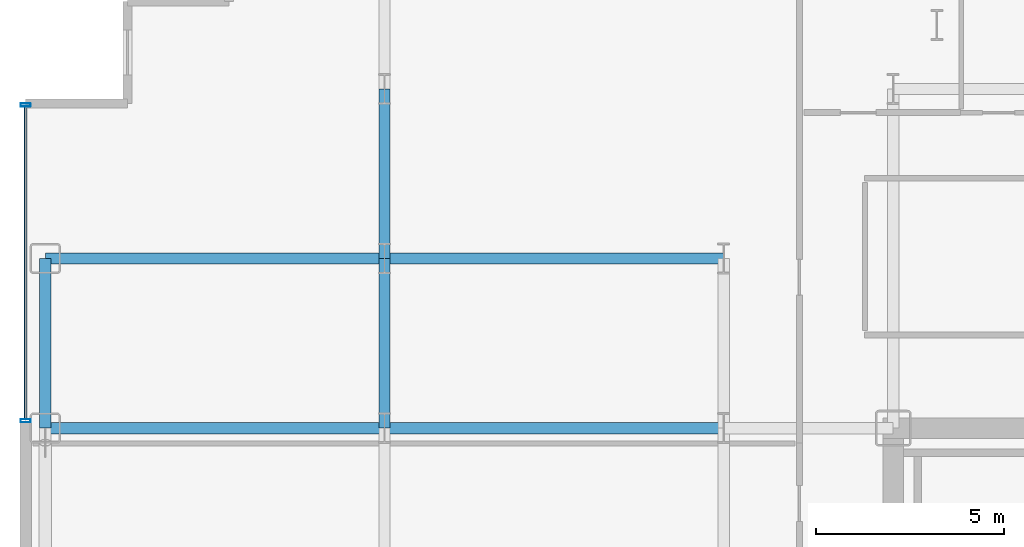
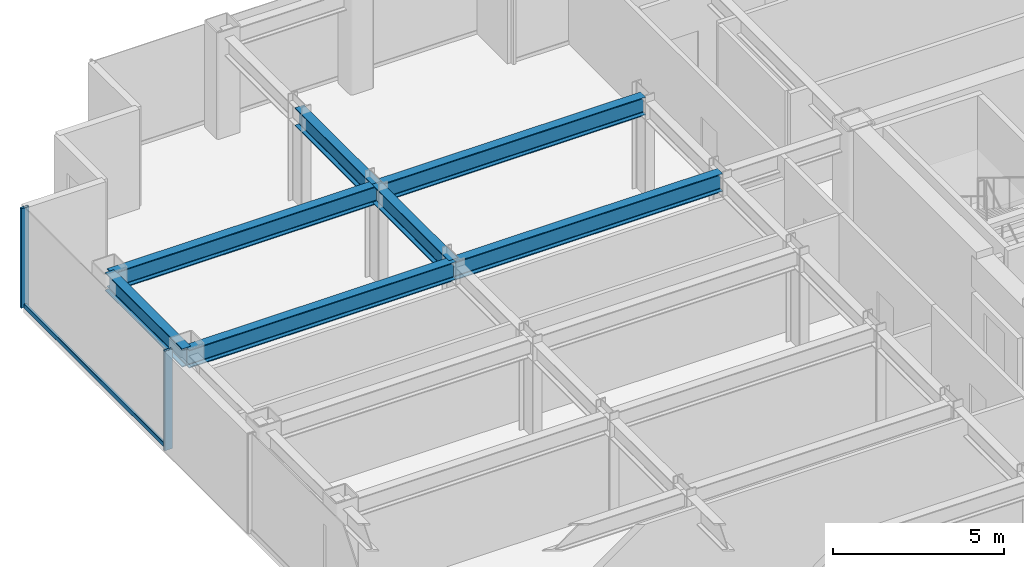
# One storey, part 12 of 27: 7 beams, 3 members, 1 element without a shape of its own.
"""IFC4 building model written with IfcOpenShell, lengths in metres."""

from ifc_helpers import new_model, si_unit, direction, frame, origin, origin_2d, place, context, subcontext, project, spatial, hollow_rectangle, i_section, extrude, source, transform, mapped, material, layer, layer_set, material_profile, profile_set, type_object, element, aggregate, save


model = new_model("IFC4")

# Units and contexts
model_context = context("Model", 3, precision=1e-05, world=origin(), true_north=direction((0.0, 1.0)))
body_context = subcontext(model_context, "Body", "Model", "MODEL_VIEW")
ifc_project = project(units=[si_unit("LENGTHUNIT", "METRE"), si_unit("AREAUNIT", "SQUARE_METRE"), si_unit("VOLUMEUNIT", "CUBIC_METRE"), si_unit("PLANEANGLEUNIT", "RADIAN"), si_unit("MASSUNIT", "GRAM", prefix="KILO")], contexts=[model_context])

# Site, building, storey
site_placement = place(None, origin())
site = spatial("IfcSite", under=ifc_project, at=site_placement, CompositionType="ELEMENT")
building_placement = place(site_placement, origin())
building = spatial("IfcBuilding", under=site, at=building_placement, Name="Nefas-Gora Pilgrimage Tower", CompositionType="ELEMENT")
storey_placement = place(building_placement, frame((0.0, 0.0, 183.0)))
storey = spatial("IfcBuildingStorey", under=building, at=storey_placement, Name="L45", CompositionType="ELEMENT", Elevation=183.0)

# Beams
ifc_material_1 = material(Name="Steel S355", Category="steel")
ifc_material_profile_1 = material_profile(ifc_material_1, i_section(OverallWidth=0.300048828125, OverallDepth=0.64990234375, WebThickness=0.01611328125, FlangeThickness=0.031005859375, FilletRadius=0.027099609375, at=origin_2d()), Name="HEB 650")
ifc_profile_set_1 = profile_set([ifc_material_profile_1], Name="Steel S355")
beam_type_1 = type_object("IfcBeamType", Name="BM-SPN-HEB500", PredefinedType="SPANDREL", material=ifc_profile_set_1)
shared_shape_1 = source(origin(), body_context, "Body", "SweptSolid", [
    extrude(i_section(OverallWidth=0.300048828125, OverallDepth=0.64990234375, WebThickness=0.01611328125, FlangeThickness=0.031005859375, FilletRadius=0.027099609375, at=origin_2d()), origin(), (0.0, 0.0, 1.0), 4.5),
])
beam_placement = place(storey_placement, frame((-33.75, 9.0, 3.22509765625), z_axis=(0.0, 1.0, 0.0), x_axis=(-1.0, 0.0, 0.0)))
element("IfcBeam", 1, at=beam_placement, inside=storey, type_object=beam_type_1, Name="L45 SP-02 beam", PredefinedType="SPANDREL", context=body_context, shape_type="MappedRepresentation", body=[
    mapped(shared_shape_1, transform((0.0, 0.0, 0.0), x_axis=(1.0, 0.0, 0.0), y_axis=(0.0, 1.0, 0.0), z_axis=(0.0, 0.0, 1.0), scale=1.0)),
])
ifc_material_profile_2 = material_profile(ifc_material_1, i_section(OverallWidth=0.300048828125, OverallDepth=0.64990234375, WebThickness=0.01611328125, FlangeThickness=0.031005859375, FilletRadius=0.027099609375, at=origin_2d()), Name="HEB 650")
ifc_profile_set_2 = profile_set([ifc_material_profile_2], Name="Steel S355")
beam_type_2 = type_object("IfcBeamType", Name="BM-GIR-HEB650", PredefinedType="BEAM", material=ifc_profile_set_2)
shared_shape_2 = source(origin(), body_context, "Body", "SweptSolid", [
    extrude(i_section(OverallWidth=0.300048828125, OverallDepth=0.64990234375, WebThickness=0.01611328125, FlangeThickness=0.031005859375, FilletRadius=0.027099609375, at=origin_2d()), origin(), (0.0, 0.0, 1.0), 9.0),
])
for number, where, z_axis, x_axis, name in (
    (2, (-33.75, 9.0, 3.22509765625), (1.0, 0.0, 0.0), (0.0, 1.0, 0.0), "L45 G-03 beam"),
    (3, (-33.75, 13.5, 3.22509765625), (1.0, 0.0, 0.0), (0.0, 1.0, 0.0), "L45 G-03 beam"),
    (4, (-24.75, 9.0, 3.22509765625), (1.0, 0.0, 0.0), (0.0, 1.0, 0.0), "L45 G-03 beam"),
    (5, (-24.75, 13.5, 3.22509765625), (1.0, 0.0, 0.0), (0.0, 1.0, 0.0), "L45 G-03 beam"),
):
    element("IfcBeam", number, at=place(storey_placement, frame(where, z_axis=z_axis, x_axis=x_axis)), inside=storey, type_object=beam_type_2, Name=name, PredefinedType="BEAM", context=body_context, shape_type="MappedRepresentation", body=[
        mapped(shared_shape_2, transform((0.0, 0.0, 0.0), x_axis=(1.0, 0.0, 0.0), y_axis=(0.0, 1.0, 0.0), z_axis=(0.0, 0.0, 1.0), scale=1.0)),
    ])
shared_shape_3 = source(origin(), body_context, "Body", "SweptSolid", [
    extrude(i_section(OverallWidth=0.300048828125, OverallDepth=0.64990234375, WebThickness=0.01611328125, FlangeThickness=0.031005859375, FilletRadius=0.027099609375, at=origin_2d()), origin(), (0.0, 0.0, 1.0), 4.5),
])
for number, where, z_axis, x_axis, name in (
    (6, (-24.75, 9.0, 3.22509765625), (0.0, 1.0, 0.0), (-1.0, 0.0, 0.0), "L45 G-03 beam"),
    (7, (-24.75, 13.5, 3.22509765625), (0.0, 1.0, 0.0), (-1.0, 0.0, 0.0), "L45 G-03 beam"),
):
    element("IfcBeam", number, at=place(storey_placement, frame(where, z_axis=z_axis, x_axis=x_axis)), inside=storey, type_object=beam_type_2, Name=name, PredefinedType="BEAM", context=body_context, shape_type="MappedRepresentation", body=[
        mapped(shared_shape_3, transform((0.0, 0.0, 0.0), x_axis=(1.0, 0.0, 0.0), y_axis=(0.0, 1.0, 0.0), z_axis=(0.0, 0.0, 1.0), scale=1.0)),
    ])

# Curtain wall, members
ifc_material_2 = material(Name="Dark ceramic-fritted solar-control aluminium-glass curtain wall", Category="aluminium")
ifc_layer = layer(ifc_material_2, 0.219970703125)
ifc_layer_set = layer_set([ifc_layer], Name="Dark ceramic-fritted solar-control aluminium-glass curtain wall")
curtain_wall_type = type_object("IfcCurtainWallType", Name="CW-SYS-3", PredefinedType="NOTDEFINED", material=ifc_layer_set)
curtain_wall_placement = place(storey_placement, origin())
curtain_wall = element("IfcCurtainWall", 8, at=curtain_wall_placement, inside=storey, type_object=curtain_wall_type, Name="L45 Unitised Curtain Wall CW3", PredefinedType="NOTDEFINED")
ifc_material_3 = material(Name="Anodised architectural aluminium", Category="aluminium")
ifc_material_profile_3 = material_profile(ifc_material_3, hollow_rectangle(XDim=0.090087890625, YDim=0.260009765625, WallThickness=0.006103515625, InnerFilletRadius=0.006103515625, OuterFilletRadius=0.011962890625, at=origin_2d()), Name="ALU MULLION 90x260")
ifc_profile_set_3 = profile_set([ifc_material_profile_3], Name="Anodised architectural aluminium")
member_type_1 = type_object("IfcMemberType", Name="CWM-MUL-3", PredefinedType="MULLION", material=ifc_profile_set_3)
shared_shape_4 = source(origin(), body_context, "Body", "SweptSolid", [
    extrude(hollow_rectangle(XDim=0.090087890625, YDim=0.260009765625, WallThickness=0.006103515625, InnerFilletRadius=0.006103515625, OuterFilletRadius=0.011962890625, at=origin_2d()), origin(), (0.0, 0.0, 1.0), 3.550048828125),
])
member_1_placement = place(storey_placement, frame((-34.27001953125, 17.574951171875, 0.0), z_axis=(0.0, 0.0, 1.0), x_axis=(0.0, -1.0, 0.0)))
member_1 = element("IfcMember", 9, at=member_1_placement, type_object=member_type_1, Name="CW3 Mullion 1", PredefinedType="MULLION", context=body_context, shape_type="MappedRepresentation", body=[
    mapped(shared_shape_4, transform((0.0, 0.0, 0.0), x_axis=(1.0, 0.0, 0.0), y_axis=(0.0, 1.0, 0.0), z_axis=(0.0, 0.0, 1.0), scale=1.0)),
])
member_2_placement = place(storey_placement, frame((-34.27001953125, 9.195068359375, 0.0), z_axis=(0.0, 0.0, 1.0), x_axis=(0.0, -1.0, 0.0)))
member_2 = element("IfcMember", 10, at=member_2_placement, type_object=member_type_1, Name="CW3 Mullion 2", PredefinedType="MULLION", context=body_context, shape_type="MappedRepresentation", body=[
    mapped(shared_shape_4, transform((0.0, 0.0, 0.0), x_axis=(1.0, 0.0, 0.0), y_axis=(0.0, 1.0, 0.0), z_axis=(0.0, 0.0, 1.0), scale=1.0)),
])
ifc_material_profile_4 = material_profile(ifc_material_3, hollow_rectangle(XDim=0.080078125, YDim=0.159912109375, WallThickness=0.00439453125, InnerFilletRadius=0.00439453125, OuterFilletRadius=0.009033203125, at=origin_2d()), Name="ALU TRANSOM 80x160")
ifc_profile_set_4 = profile_set([ifc_material_profile_4], Name="Anodised architectural aluminium")
member_type_2 = type_object("IfcMemberType", Name="CWM-TRN-3", PredefinedType="USERDEFINED", material=ifc_profile_set_4)
shared_shape_5 = source(origin(), body_context, "Body", "SweptSolid", [
    extrude(hollow_rectangle(XDim=0.080078125, YDim=0.159912109375, WallThickness=0.00439453125, InnerFilletRadius=0.00439453125, OuterFilletRadius=0.009033203125, at=origin_2d()), origin(), (0.0, 0.0, 1.0), 8.2900390625),
])
member_3_placement = place(storey_placement, frame((-34.27001953125, 17.530029296875, 0.050048828125), z_axis=(0.0, -1.0, 0.0), x_axis=(1.0, 0.0, 0.0)))
member_3 = element("IfcMember", 11, at=member_3_placement, type_object=member_type_2, Name="CW3 Spandrel Transom", ObjectType="TRANSOM", PredefinedType="USERDEFINED", context=body_context, shape_type="MappedRepresentation", body=[
    mapped(shared_shape_5, transform((0.0, 0.0, 0.0), x_axis=(1.0, 0.0, 0.0), y_axis=(0.0, 1.0, 0.0), z_axis=(0.0, 0.0, 1.0), scale=1.0)),
])
aggregate(curtain_wall, [member_1, member_2, member_3])

save(model, "model.ifc")
